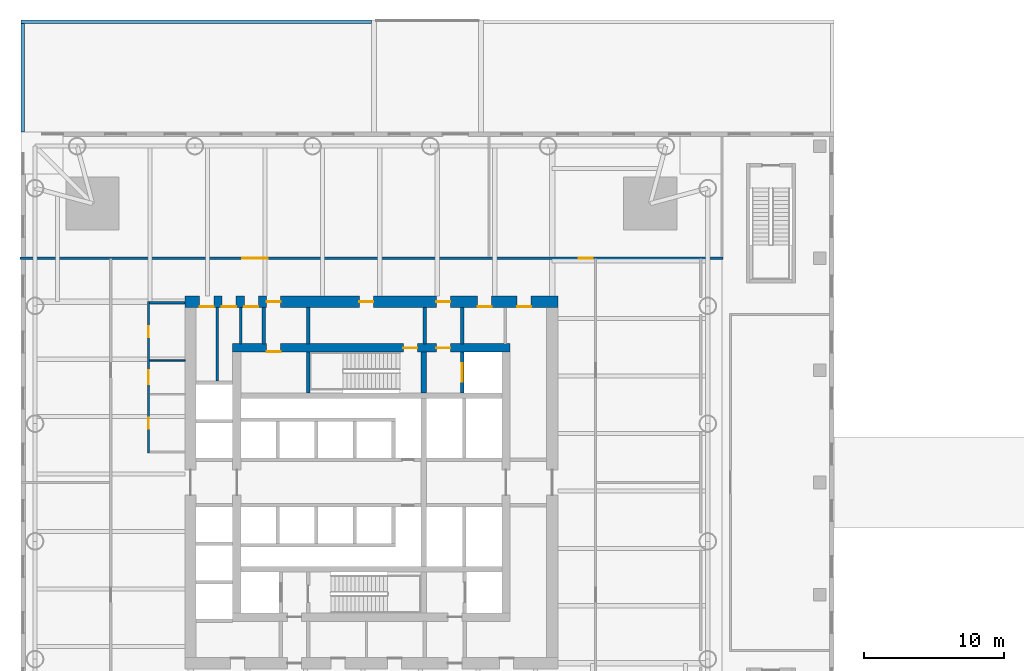
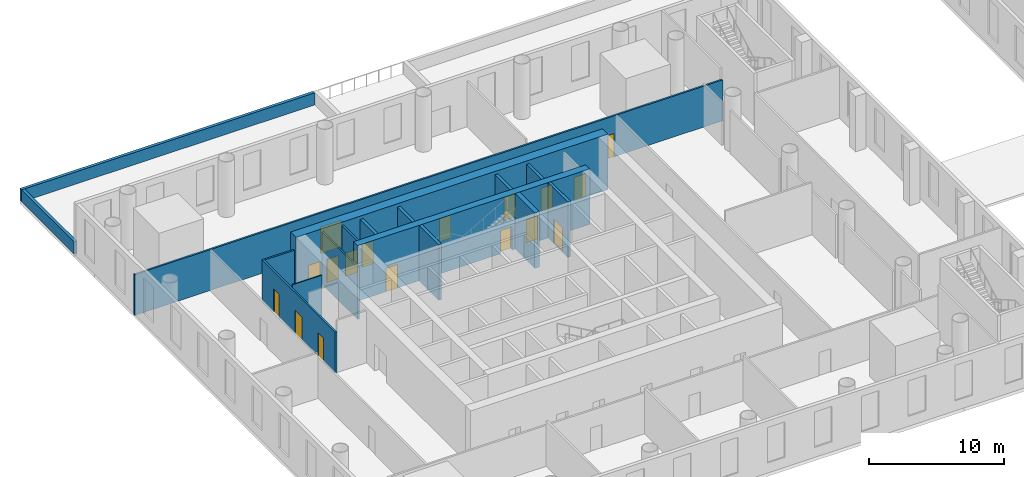
# One storey, part 8 of 16: 17 doors, 17 walls, 17 openings.
"""IFC4 building model written with IfcOpenShell, lengths in metres."""

from ifc_helpers import new_model, si_unit, direction, frame, frame_2d, origin, place, context, subcontext, project, spatial, rectangle, extrude, material, layer, layer_set, type_object, element, fill, save


model = new_model("IFC4")

# Units and contexts
model_context = context("Model", 3, precision=1e-05, world=origin(), true_north=direction((0.0, 1.0)))
body_context = subcontext(model_context, "Body", "Model", "MODEL_VIEW")
ifc_project = project(units=[si_unit("LENGTHUNIT", "METRE"), si_unit("AREAUNIT", "SQUARE_METRE"), si_unit("VOLUMEUNIT", "CUBIC_METRE"), si_unit("PLANEANGLEUNIT", "RADIAN"), si_unit("MASSUNIT", "GRAM", prefix="KILO")], contexts=[model_context])

# Site, building, storey
site_placement = place(None, origin())
site = spatial("IfcSite", under=ifc_project, at=site_placement, CompositionType="ELEMENT")
building_placement = place(site_placement, origin())
building = spatial("IfcBuilding", under=site, at=building_placement, Name="Ostroluk Exchange", CompositionType="ELEMENT")
storey_placement = place(building_placement, frame((0.0, 0.0, 16.0)))
storey = spatial("IfcBuildingStorey", under=building, at=storey_placement, Name="L03", CompositionType="ELEMENT", Elevation=16.0)

# Walls
ifc_material_1 = material(Name="Concrete blockwork", Category="masonry")
ifc_layer_1 = layer(ifc_material_1, 0.10009765625)
ifc_layer_set_1 = layer_set([ifc_layer_1], Name="Blockwork WC wall 100")
wall_type_1 = type_object("IfcWallType", Name="Blockwork WC wall 100", PredefinedType="SOLIDWALL", material=ifc_layer_set_1)
wall_1_placement = place(storey_placement, frame((29.175048828125, 54.699951171875, 0.0), z_axis=(0.0, 0.0, 1.0), x_axis=(1.0, 0.0, 0.0)))
element("IfcWall", 1, at=wall_1_placement, inside=storey, type_object=wall_type_1, Name="Blockwork WC wall", PredefinedType="SOLIDWALL", context=body_context, shape_type="SweptSolid", body=[
    extrude(rectangle(XDim=2.52490234375, YDim=0.10009765625, at=frame_2d((1.262451171875, 0.0))), origin(), (0.0, 0.0, 1.0), 3.929931640625),
])
ifc_material_2 = material(Name="Concrete blockwork", Category="masonry")
ifc_layer_2 = layer(ifc_material_2, 0.14990234375)
ifc_layer_set_2 = layer_set([ifc_layer_2], Name="Blockwork plant room wall 150")
wall_type_2 = type_object("IfcWallType", Name="Blockwork plant room wall 150", PredefinedType="SOLIDWALL", material=ifc_layer_set_2)
wall_2_placement = place(storey_placement, frame((33.99609375, 53.25, 0.0), z_axis=(0.0, 0.0, 1.0), x_axis=(0.0, 1.0, 0.0)))
element("IfcWall", 2, at=wall_2_placement, inside=storey, type_object=wall_type_2, Name="Core room wall", PredefinedType="SOLIDWALL", context=body_context, shape_type="SweptSolid", body=[
    extrude(rectangle(XDim=5.25, YDim=0.14990234375, at=frame_2d((2.625, 0.0))), origin(), (0.0, 0.0, 1.0), 4.699951171875),
])
wall_3_placement = place(storey_placement, frame((35.678955078125, 55.89990234375, 0.0), z_axis=(0.0, 0.0, 1.0), x_axis=(0.0, 1.0, 0.0)))
element("IfcWall", 3, at=wall_3_placement, inside=storey, type_object=wall_type_2, Name="Core room wall", PredefinedType="SOLIDWALL", context=body_context, shape_type="SweptSolid", body=[
    extrude(rectangle(XDim=2.60009765625, YDim=0.14990234375, at=frame_2d((1.300048828125, 0.0))), origin(), (0.0, 0.0, 1.0), 4.699951171875),
])
ifc_material_3 = material(Name="Concrete blockwork", Category="masonry")
ifc_layer_3 = layer(ifc_material_3, 0.25)
ifc_layer_set_3 = layer_set([ifc_layer_3], Name="Blockwork stair enclosure wall 250")
wall_type_3 = type_object("IfcWallType", Name="Blockwork stair enclosure wall 250", PredefinedType="SOLIDWALL", material=ifc_layer_set_3)
for number, where, z_axis, x_axis, name in (
    (4, (48.804931640625, 55.89990234375, 0.0), (0.0, 0.0, 1.0), (0.0, 1.0, 0.0), "Fire lobby enclosure wall"),
    (5, (51.47509765625, 55.89990234375, 0.0), (0.0, 0.0, 1.0), (0.0, 1.0, 0.0), "Fire lobby enclosure wall"),
    (6, (40.47509765625, 55.89990234375, 0.0), (0.0, 0.0, 1.0), (0.0, 1.0, 0.0), "Stair lobby enclosure wall"),
    (7, (37.300048828125, 55.89990234375, 0.0), (0.0, 0.0, 1.0), (0.0, 1.0, 0.0), "Core corridor wall"),
):
    element("IfcWall", number, at=place(storey_placement, frame(where, z_axis=z_axis, x_axis=x_axis)), inside=storey, type_object=wall_type_3, Name=name, PredefinedType="SOLIDWALL", context=body_context, shape_type="SweptSolid", body=[
        extrude(rectangle(XDim=2.60009765625, YDim=0.25, at=frame_2d((1.300048828125, 0.0))), origin(), (0.0, 0.0, 1.0), 4.699951171875),
    ])
ifc_material_4 = material(Name="Concrete C50/60", Category="concrete")
ifc_layer_4 = layer(ifc_material_4, 0.39990234375)
ifc_layer_set_4 = layer_set([ifc_layer_4], Name="Core cross wall 400 C50/60")
wall_type_4 = type_object("IfcWallType", Name="Core cross wall 400 C50/60", PredefinedType="SHEAR", material=ifc_layer_set_4)
wall_4_placement = place(storey_placement, frame((48.72998046875, 52.39990234375, 0.0), z_axis=(0.0, 0.0, 1.0), x_axis=(0.0, 1.0, 0.0)))
element("IfcWall", 8, at=wall_4_placement, inside=storey, type_object=wall_type_4, Name="T1 core wall YE3", PredefinedType="SHEAR", context=body_context, shape_type="SweptSolid", body=[
    extrude(rectangle(XDim=2.900146484375, YDim=0.39990234375, at=frame_2d((1.4501953125, 0.0))), origin(), (0.0, 0.0, 1.0), 5.0),
])
ifc_material_5 = material(Name="Concrete C40/50", Category="concrete")
ifc_layer_5 = layer(ifc_material_5, 0.25)
ifc_layer_set_5 = layer_set([ifc_layer_5], Name="Core shaft wall 250")
wall_type_5 = type_object("IfcWallType", Name="Core shaft wall 250", PredefinedType="SHEAR", material=ifc_layer_set_5)
wall_5_placement = place(storey_placement, frame((40.47509765625, 52.39990234375, 0.0), z_axis=(0.0, 0.0, 1.0), x_axis=(0.0, 1.0, 0.0)))
element("IfcWall", 9, at=wall_5_placement, inside=storey, type_object=wall_type_5, Name="Stair shaft wall", PredefinedType="SHEAR", context=body_context, shape_type="SweptSolid", body=[
    extrude(rectangle(XDim=2.900146484375, YDim=0.25, at=frame_2d((1.4501953125, 0.0))), origin(), (0.0, 0.0, 1.0), 5.0),
])

# Wall, opening, door
wall_6_placement = place(storey_placement, frame((51.47509765625, 52.39990234375, 0.0), z_axis=(0.0, 0.0, 1.0), x_axis=(0.0, 1.0, 0.0)))
wall_6 = element("IfcWall", 10, at=wall_6_placement, inside=storey, type_object=wall_type_5, Name="Firefighting lift shaft wall", PredefinedType="SHEAR", context=body_context, shape_type="SweptSolid", body=[
    extrude(rectangle(XDim=2.900146484375, YDim=0.25, at=frame_2d((1.4501953125, 0.0))), origin(), (0.0, 0.0, 1.0), 5.0),
])
opening_1_placement = place(wall_6_placement, frame((0.800048828125, 0.0, 0.0)))
opening_1 = element("IfcOpeningElement", 11, at=opening_1_placement, cuts=wall_6, Name="Opening LD2", PredefinedType="OPENING", context=body_context, shape_type="SweptSolid", body=[
    extrude(rectangle(XDim=1.300048828125, YDim=2.199951171875, at=frame_2d((0.64990234375, 1.10009765625))), frame((0.0, 0.135009765625, 0.0), z_axis=(0.0, -1.0, 0.0), x_axis=(1.0, 0.0, 0.0)), (0.0, 0.0, 1.0), 0.27001953125),
])
ifc_material_6 = material(Name="Stainless steel", Category="steel")
door_type_1 = type_object("IfcDoorType", Name="Lift landing door E 60 1300 x 2200", OperationType="DOUBLE_DOOR_SLIDING", PredefinedType="DOOR", material=ifc_material_6)
door_1_placement = place(opening_1_placement, origin())
door_1 = element("IfcDoor", 12, at=door_1_placement, inside=storey, type_object=door_type_1, Name="Lift FL2 landing door", OperationType="DOUBLE_DOOR_SLIDING", OverallHeight=2.199951171875, OverallWidth=1.300048828125, PredefinedType="DOOR", context=body_context, shape_type="SweptSolid", body=[
    extrude(rectangle(XDim=1.300048828125, YDim=2.199951171875, at=frame_2d((0.64990234375, 1.10009765625))), frame((0.0, 0.02490234375, 0.0), z_axis=(0.0, -1.0, 0.0), x_axis=(1.0, 0.0, 0.0)), (0.0, 0.0, 1.0), 0.050048828125),
])
fill(opening_1, door_1)

# Wall, openings, doors
ifc_material_7 = material(Name="Concrete C50/60", Category="concrete")
ifc_layer_6 = layer(ifc_material_7, 0.60009765625)
ifc_layer_set_6 = layer_set([ifc_layer_6], Name="Core wall 600 C50/60")
wall_type_6 = type_object("IfcWallType", Name="Core wall 600 C50/60", PredefinedType="SHEAR", material=ifc_layer_set_6)
wall_7_placement = place(storey_placement, frame((35.10009765625, 55.60009765625, 0.0), z_axis=(0.0, 0.0, 1.0), x_axis=(1.0, 0.0, 0.0)))
wall_7 = element("IfcWall", 13, at=wall_7_placement, inside=storey, type_object=wall_type_6, Name="T1 core wall N", PredefinedType="SHEAR", context=body_context, shape_type="SweptSolid", body=[
    extrude(rectangle(XDim=19.7998046875, YDim=0.60009765625, at=frame_2d((9.89990234375, 0.0))), origin(), (0.0, 0.0, 1.0), 5.0),
])
opening_2_placement = place(wall_7_placement, frame((14.5400390625, 0.0, 0.0)))
opening_2 = element("IfcOpeningElement", 14, at=opening_2_placement, cuts=wall_7, Name="Opening FD60", PredefinedType="OPENING", context=body_context, shape_type="SweptSolid", body=[
    extrude(rectangle(XDim=1.0, YDim=2.10009765625, at=frame_2d((0.5, 1.050048828125))), frame((0.0, 0.31005859375, 0.0), z_axis=(0.0, -1.0, 0.0), x_axis=(1.0, 0.0, 0.0)), (0.0, 0.0, 1.0), 0.6201171875),
])
opening_3_placement = place(wall_7_placement, frame((12.179931640625, 0.0, 0.0)))
opening_3 = element("IfcOpeningElement", 15, at=opening_3_placement, cuts=wall_7, Name="Opening FD60", PredefinedType="OPENING", context=body_context, shape_type="SweptSolid", body=[
    extrude(rectangle(XDim=1.0, YDim=2.10009765625, at=frame_2d((0.5, 1.050048828125))), frame((0.0, 0.31005859375, 0.0), z_axis=(0.0, -1.0, 0.0), x_axis=(1.0, 0.0, 0.0)), (0.0, 0.0, 1.0), 0.6201171875),
])
opening_4_placement = place(wall_7_placement, frame((2.425048828125, 0.0, 0.0)))
opening_4 = element("IfcOpeningElement", 16, at=opening_4_placement, cuts=wall_7, Name="Opening FD60", PredefinedType="OPENING", context=body_context, shape_type="SweptSolid", body=[
    extrude(rectangle(XDim=1.0, YDim=2.10009765625, at=frame_2d((0.5, 1.050048828125))), frame((0.0, 0.31005859375, 0.0), z_axis=(0.0, -1.0, 0.0), x_axis=(1.0, 0.0, 0.0)), (0.0, 0.0, 1.0), 0.6201171875),
])
ifc_material_8 = material(Name="Steel", Category="steel")
door_type_2 = type_object("IfcDoorType", Name="Fire door EI 60 1000 x 2100", OperationType="SINGLE_SWING_LEFT", PredefinedType="DOOR", material=ifc_material_8)
door_2_placement = place(opening_2_placement, origin())
door_2 = element("IfcDoor", 17, at=door_2_placement, inside=storey, type_object=door_type_2, Name="Firefighting lobby door", OperationType="SINGLE_SWING_RIGHT", OverallHeight=2.10009765625, OverallWidth=1.0, PredefinedType="DOOR", context=body_context, shape_type="SweptSolid", body=[
    extrude(rectangle(XDim=1.0, YDim=2.10009765625, at=frame_2d((0.5, 1.050048828125))), frame((0.0, 0.02490234375, 0.0), z_axis=(0.0, -1.0, 0.0), x_axis=(1.0, 0.0, 0.0)), (0.0, 0.0, 1.0), 0.050048828125),
])
fill(opening_2, door_2)
door_3_placement = place(opening_3_placement, origin())
door_3 = element("IfcDoor", 18, at=door_3_placement, inside=storey, type_object=door_type_2, Name="Stair T1-S2 door", OperationType="SINGLE_SWING_RIGHT", OverallHeight=2.10009765625, OverallWidth=1.0, PredefinedType="DOOR", context=body_context, shape_type="SweptSolid", body=[
    extrude(rectangle(XDim=1.0, YDim=2.10009765625, at=frame_2d((0.5, 1.050048828125))), frame((0.0, 0.02490234375, 0.0), z_axis=(0.0, -1.0, 0.0), x_axis=(1.0, 0.0, 0.0)), (0.0, 0.0, 1.0), 0.050048828125),
])
fill(opening_3, door_3)
door_4_placement = place(opening_4_placement, origin())
door_4 = element("IfcDoor", 19, at=door_4_placement, inside=storey, type_object=door_type_2, Name="Store door", OperationType="SINGLE_SWING_LEFT", OverallHeight=2.10009765625, OverallWidth=1.0, PredefinedType="DOOR", context=body_context, shape_type="SweptSolid", body=[
    extrude(rectangle(XDim=1.0, YDim=2.10009765625, at=frame_2d((0.5, 1.050048828125))), frame((0.0, -0.23974609375, 0.0), z_axis=(0.0, -1.0, 0.0), x_axis=(1.0, 0.0, 0.0)), (0.0, 0.0, 1.0), 0.050048828125),
])
fill(opening_4, door_4)

ifc_material_9 = material(Name="Concrete C50/60", Category="concrete")
ifc_layer_7 = layer(ifc_material_9, 0.800048828125)
ifc_layer_set_7 = layer_set([ifc_layer_7], Name="Core wall 800 C50/60")
wall_type_7 = type_object("IfcWallType", Name="Core wall 800 C50/60", PredefinedType="SHEAR", material=ifc_layer_set_7)
wall_8_placement = place(storey_placement, frame((31.699951171875, 58.89990234375, 0.0), z_axis=(0.0, 0.0, 1.0), x_axis=(1.0, 0.0, 0.0)))
wall_8 = element("IfcWall", 20, at=wall_8_placement, inside=storey, type_object=wall_type_7, Name="T1 core wall RN", PredefinedType="SHEAR", context=body_context, shape_type="SweptSolid", body=[
    extrude(rectangle(XDim=26.60009765625, YDim=0.800048828125, at=frame_2d((13.300048828125, 0.0))), origin(), (0.0, 0.0, 1.0), 5.0),
])
opening_5_placement = place(wall_8_placement, frame((17.93994140625, 0.0, 0.0)))
opening_5 = element("IfcOpeningElement", 21, at=opening_5_placement, cuts=wall_8, Name="Opening FD60", PredefinedType="OPENING", context=body_context, shape_type="SweptSolid", body=[
    extrude(rectangle(XDim=1.0, YDim=2.10009765625, at=frame_2d((0.5, 1.050048828125))), frame((0.0, 0.409912109375, 0.0), z_axis=(0.0, -1.0, 0.0), x_axis=(1.0, 0.0, 0.0)), (0.0, 0.0, 1.0), 0.820068359375),
])
opening_6_placement = place(wall_8_placement, frame((12.43994140625, 0.0, 0.0)))
opening_6 = element("IfcOpeningElement", 22, at=opening_6_placement, cuts=wall_8, Name="Opening FD60", PredefinedType="OPENING", context=body_context, shape_type="SweptSolid", body=[
    extrude(rectangle(XDim=1.0, YDim=2.10009765625, at=frame_2d((0.5, 1.050048828125))), frame((0.0, 0.409912109375, 0.0), z_axis=(0.0, -1.0, 0.0), x_axis=(1.0, 0.0, 0.0)), (0.0, 0.0, 1.0), 0.820068359375),
])
opening_7_placement = place(wall_8_placement, frame((5.824951171875, 0.0, 0.0)))
opening_7 = element("IfcOpeningElement", 23, at=opening_7_placement, cuts=wall_8, Name="Opening FD60", PredefinedType="OPENING", context=body_context, shape_type="SweptSolid", body=[
    extrude(rectangle(XDim=1.0, YDim=2.10009765625, at=frame_2d((0.5, 1.050048828125))), frame((0.0, 0.409912109375, 0.0), z_axis=(0.0, -1.0, 0.0), x_axis=(1.0, 0.0, 0.0)), (0.0, 0.0, 1.0), 0.820068359375),
])
opening_8_placement = place(wall_8_placement, frame((1.050048828125, 0.0, 0.0)))
opening_8 = element("IfcOpeningElement", 24, at=opening_8_placement, cuts=wall_8, Name="Opening FD60", PredefinedType="OPENING", context=body_context, shape_type="SweptSolid", body=[
    extrude(rectangle(XDim=1.0, YDim=2.10009765625, at=frame_2d((0.5, 1.050048828125))), frame((0.0, 0.409912109375, 0.0), z_axis=(0.0, -1.0, 0.0), x_axis=(1.0, 0.0, 0.0)), (0.0, 0.0, 1.0), 0.820068359375),
])
opening_9_placement = place(wall_8_placement, frame((2.637451171875, 0.0, 0.0)))
opening_9 = element("IfcOpeningElement", 25, at=opening_9_placement, cuts=wall_8, Name="Opening FD60", PredefinedType="OPENING", context=body_context, shape_type="SweptSolid", body=[
    extrude(rectangle(XDim=1.0, YDim=2.10009765625, at=frame_2d((0.5, 1.050048828125))), frame((0.0, 0.409912109375, 0.0), z_axis=(0.0, -1.0, 0.0), x_axis=(1.0, 0.0, 0.0)), (0.0, 0.0, 1.0), 0.820068359375),
])
opening_10_placement = place(wall_8_placement, frame((4.22900390625, 0.0, 0.0)))
opening_10 = element("IfcOpeningElement", 26, at=opening_10_placement, cuts=wall_8, Name="Opening FD60", PredefinedType="OPENING", context=body_context, shape_type="SweptSolid", body=[
    extrude(rectangle(XDim=1.0, YDim=2.10009765625, at=frame_2d((0.5, 1.050048828125))), frame((0.0, 0.409912109375, 0.0), z_axis=(0.0, -1.0, 0.0), x_axis=(1.0, 0.0, 0.0)), (0.0, 0.0, 1.0), 0.820068359375),
])
opening_11_placement = place(wall_8_placement, frame((20.875, 0.0, 0.0)))
opening_11 = element("IfcOpeningElement", 27, at=opening_11_placement, cuts=wall_8, Name="Opening FD60", PredefinedType="OPENING", context=body_context, shape_type="SweptSolid", body=[
    extrude(rectangle(XDim=1.0, YDim=2.10009765625, at=frame_2d((0.5, 1.050048828125))), frame((0.0, 0.409912109375, 0.0), z_axis=(0.0, -1.0, 0.0), x_axis=(1.0, 0.0, 0.0)), (0.0, 0.0, 1.0), 0.820068359375),
])
opening_12_placement = place(wall_8_placement, frame((23.699951171875, 0.0, 0.0)))
opening_12 = element("IfcOpeningElement", 28, at=opening_12_placement, cuts=wall_8, Name="Opening FD60", PredefinedType="OPENING", context=body_context, shape_type="SweptSolid", body=[
    extrude(rectangle(XDim=1.0, YDim=2.10009765625, at=frame_2d((0.5, 1.050048828125))), frame((0.0, 0.409912109375, 0.0), z_axis=(0.0, -1.0, 0.0), x_axis=(1.0, 0.0, 0.0)), (0.0, 0.0, 1.0), 0.820068359375),
])
door_5_placement = place(opening_5_placement, origin())
door_5 = element("IfcDoor", 29, at=door_5_placement, inside=storey, type_object=door_type_2, Name="Firefighting lobby door", OperationType="SINGLE_SWING_RIGHT", OverallHeight=2.10009765625, OverallWidth=1.0, PredefinedType="DOOR", context=body_context, shape_type="SweptSolid", body=[
    extrude(rectangle(XDim=1.0, YDim=2.10009765625, at=frame_2d((0.5, 1.050048828125))), frame((0.0, 0.02490234375, 0.0), z_axis=(0.0, -1.0, 0.0), x_axis=(1.0, 0.0, 0.0)), (0.0, 0.0, 1.0), 0.050048828125),
])
fill(opening_5, door_5)
door_6_placement = place(opening_6_placement, origin())
door_6 = element("IfcDoor", 30, at=door_6_placement, inside=storey, type_object=door_type_2, Name="Stair lobby door", OperationType="SINGLE_SWING_LEFT", OverallHeight=2.10009765625, OverallWidth=1.0, PredefinedType="DOOR", context=body_context, shape_type="SweptSolid", body=[
    extrude(rectangle(XDim=1.0, YDim=2.10009765625, at=frame_2d((0.5, 1.050048828125))), frame((0.0, 0.02490234375, 0.0), z_axis=(0.0, -1.0, 0.0), x_axis=(1.0, 0.0, 0.0)), (0.0, 0.0, 1.0), 0.050048828125),
])
fill(opening_6, door_6)
door_7_placement = place(opening_7_placement, origin())
door_7 = element("IfcDoor", 31, at=door_7_placement, inside=storey, type_object=door_type_2, Name="Core corridor door", OperationType="SINGLE_SWING_LEFT", OverallHeight=2.10009765625, OverallWidth=1.0, PredefinedType="DOOR", context=body_context, shape_type="SweptSolid", body=[
    extrude(rectangle(XDim=1.0, YDim=2.10009765625, at=frame_2d((0.5, 1.050048828125))), frame((0.0, 0.02490234375, 0.0), z_axis=(0.0, -1.0, 0.0), x_axis=(1.0, 0.0, 0.0)), (0.0, 0.0, 1.0), 0.050048828125),
])
fill(opening_7, door_7)
door_8_placement = place(opening_8_placement, origin())
door_8 = element("IfcDoor", 32, at=door_8_placement, inside=storey, type_object=door_type_2, Name="Security equipment store door", OperationType="SINGLE_SWING_LEFT", OverallHeight=2.10009765625, OverallWidth=1.0, PredefinedType="DOOR", context=body_context, shape_type="SweptSolid", body=[
    extrude(rectangle(XDim=1.0, YDim=2.10009765625, at=frame_2d((0.5, 1.050048828125))), frame((0.0, -0.33984375, 0.0), z_axis=(0.0, -1.0, 0.0), x_axis=(1.0, 0.0, 0.0)), (0.0, 0.0, 1.0), 0.050048828125),
])
fill(opening_8, door_8)
door_9_placement = place(opening_9_placement, origin())
door_9 = element("IfcDoor", 33, at=door_9_placement, inside=storey, type_object=door_type_2, Name="Comms switch room door", OperationType="SINGLE_SWING_LEFT", OverallHeight=2.10009765625, OverallWidth=1.0, PredefinedType="DOOR", context=body_context, shape_type="SweptSolid", body=[
    extrude(rectangle(XDim=1.0, YDim=2.10009765625, at=frame_2d((0.5, 1.050048828125))), frame((0.0, -0.33984375, 0.0), z_axis=(0.0, -1.0, 0.0), x_axis=(1.0, 0.0, 0.0)), (0.0, 0.0, 1.0), 0.050048828125),
])
fill(opening_9, door_9)
door_10_placement = place(opening_10_placement, origin())
door_10 = element("IfcDoor", 34, at=door_10_placement, inside=storey, type_object=door_type_2, Name="Electrical switch room door", OperationType="SINGLE_SWING_LEFT", OverallHeight=2.10009765625, OverallWidth=1.0, PredefinedType="DOOR", context=body_context, shape_type="SweptSolid", body=[
    extrude(rectangle(XDim=1.0, YDim=2.10009765625, at=frame_2d((0.5, 1.050048828125))), frame((0.0, -0.33984375, 0.0), z_axis=(0.0, -1.0, 0.0), x_axis=(1.0, 0.0, 0.0)), (0.0, 0.0, 1.0), 0.050048828125),
])
fill(opening_10, door_10)
door_11_placement = place(opening_11_placement, origin())
door_11 = element("IfcDoor", 35, at=door_11_placement, inside=storey, type_object=door_type_2, Name="Store door", OperationType="SINGLE_SWING_RIGHT", OverallHeight=2.10009765625, OverallWidth=1.0, PredefinedType="DOOR", context=body_context, shape_type="SweptSolid", body=[
    extrude(rectangle(XDim=1.0, YDim=2.10009765625, at=frame_2d((0.5, 1.050048828125))), frame((0.0, -0.33984375, 0.0), z_axis=(0.0, -1.0, 0.0), x_axis=(1.0, 0.0, 0.0)), (0.0, 0.0, 1.0), 0.050048828125),
])
fill(opening_11, door_11)
door_12_placement = place(opening_12_placement, origin())
door_12 = element("IfcDoor", 36, at=door_12_placement, inside=storey, type_object=door_type_2, Name="Cleaner's store door", OperationType="SINGLE_SWING_RIGHT", OverallHeight=2.10009765625, OverallWidth=1.0, PredefinedType="DOOR", context=body_context, shape_type="SweptSolid", body=[
    extrude(rectangle(XDim=1.0, YDim=2.10009765625, at=frame_2d((0.5, 1.050048828125))), frame((0.0, -0.33984375, 0.0), z_axis=(0.0, -1.0, 0.0), x_axis=(1.0, 0.0, 0.0)), (0.0, 0.0, 1.0), 0.050048828125),
])
fill(opening_12, door_12)

# Walls
ifc_material_10 = material(Name="Limestone", Category="masonry")
ifc_layer_8 = layer(ifc_material_10, 0.25)
ifc_layer_set_8 = layer_set([ifc_layer_8], Name="Green roof parapet 250")
wall_type_8 = type_object("IfcWallType", Name="Green roof parapet 250", PredefinedType="PARAPET", material=ifc_layer_set_8)
wall_9_placement = place(storey_placement, frame((20.125, 71.010009765625, 0.0), z_axis=(0.0, 0.0, 1.0), x_axis=(0.0, 1.0, 0.0)))
element("IfcWall", 37, at=wall_9_placement, inside=storey, type_object=wall_type_8, Name="Green roof parapet L03 1", PredefinedType="PARAPET", context=body_context, shape_type="SweptSolid", body=[
    extrude(rectangle(XDim=7.739990234375, YDim=0.25, at=frame_2d((3.8701171875, 0.0))), origin(), (0.0, 0.0, 1.0), 1.10009765625),
])
wall_10_placement = place(storey_placement, frame((20.0, 78.875, 0.0), z_axis=(0.0, 0.0, 1.0), x_axis=(1.0, 0.0, 0.0)))
element("IfcWall", 38, at=wall_10_placement, inside=storey, type_object=wall_type_8, Name="Green roof parapet L03 2", PredefinedType="PARAPET", context=body_context, shape_type="SweptSolid", body=[
    extrude(rectangle(XDim=24.989990234375, YDim=0.25, at=frame_2d((12.4951171875, 0.0))), origin(), (0.0, 0.0, 1.0), 1.10009765625),
])

# Wall, openings, doors
ifc_material_11 = material(Name="Gypsum plasterboard partition", Category="gypsum")
ifc_layer_9 = layer(ifc_material_11, 0.14990234375)
ifc_layer_set_9 = layer_set([ifc_layer_9], Name="Plasterboard partition 150")
wall_type_9 = type_object("IfcWallType", Name="Plasterboard partition 150", PredefinedType="PARTITIONING", material=ifc_layer_set_9)
wall_11_placement = place(storey_placement, frame((19.925048828125, 62.0, 0.0), z_axis=(0.0, 0.0, 1.0), x_axis=(1.0, 0.0, 0.0)))
wall_11 = element("IfcWall", 39, at=wall_11_placement, inside=storey, type_object=wall_type_9, Name="Partition", PredefinedType="PARTITIONING", context=body_context, shape_type="SweptSolid", body=[
    extrude(rectangle(XDim=50.14990234375, YDim=0.14990234375, at=frame_2d((25.074951171875, 0.0))), origin(), (0.0, 0.0, 1.0), 3.68798828125),
])
opening_13_placement = place(wall_11_placement, frame((15.875, 0.0, 0.0)))
opening_13 = element("IfcOpeningElement", 40, at=opening_13_placement, cuts=wall_11, Name="Opening D-04", PredefinedType="OPENING", context=body_context, shape_type="SweptSolid", body=[
    extrude(rectangle(XDim=1.800048828125, YDim=2.39990234375, at=frame_2d((0.89990234375, 1.199951171875))), frame((0.0, 0.0849609375, 0.0), z_axis=(0.0, -1.0, 0.0), x_axis=(1.0, 0.0, 0.0)), (0.0, 0.0, 1.0), 0.169921875),
])
opening_14_placement = place(wall_11_placement, frame((39.875, 0.0, 0.0)))
opening_14 = element("IfcOpeningElement", 41, at=opening_14_placement, cuts=wall_11, Name="Opening D-03", PredefinedType="OPENING", context=body_context, shape_type="SweptSolid", body=[
    extrude(rectangle(XDim=1.0, YDim=2.10009765625, at=frame_2d((0.5, 1.050048828125))), frame((0.0, 0.0849609375, 0.0), z_axis=(0.0, -1.0, 0.0), x_axis=(1.0, 0.0, 0.0)), (0.0, 0.0, 1.0), 0.169921875),
])
ifc_material_12 = material(Name="Timber", Category="wood")
door_type_3 = type_object("IfcDoorType", Name="Double door 1800 x 2400", OperationType="DOUBLE_DOOR_SINGLE_SWING", PredefinedType="DOOR", material=ifc_material_12)
door_13_placement = place(opening_13_placement, origin())
door_13 = element("IfcDoor", 42, at=door_13_placement, inside=storey, type_object=door_type_3, Name="Restaurant door", OperationType="DOUBLE_DOOR_SINGLE_SWING", OverallHeight=2.39990234375, OverallWidth=1.800048828125, PredefinedType="DOOR", context=body_context, shape_type="SweptSolid", body=[
    extrude(rectangle(XDim=1.800048828125, YDim=2.39990234375, at=frame_2d((0.89990234375, 1.199951171875))), frame((0.0, 0.02490234375, 0.0), z_axis=(0.0, -1.0, 0.0), x_axis=(1.0, 0.0, 0.0)), (0.0, 0.0, 1.0), 0.050048828125),
])
fill(opening_13, door_13)
ifc_material_13 = material(Name="Timber", Category="wood")
door_type_4 = type_object("IfcDoorType", Name="Internal door 1000 x 2100", OperationType="SINGLE_SWING_LEFT", PredefinedType="DOOR", material=ifc_material_13)
door_14_placement = place(opening_14_placement, origin())
door_14 = element("IfcDoor", 43, at=door_14_placement, inside=storey, type_object=door_type_4, Name="Office door", OperationType="SINGLE_SWING_RIGHT", OverallHeight=2.10009765625, OverallWidth=1.0, PredefinedType="DOOR", context=body_context, shape_type="SweptSolid", body=[
    extrude(rectangle(XDim=1.0, YDim=2.10009765625, at=frame_2d((0.5, 1.050048828125))), frame((0.0, 0.02490234375, 0.0), z_axis=(0.0, -1.0, 0.0), x_axis=(1.0, 0.0, 0.0)), (0.0, 0.0, 1.0), 0.050048828125),
])
fill(opening_14, door_14)

ifc_material_14 = material(Name="Gypsum plasterboard partition, moisture resistant", Category="gypsum")
ifc_layer_10 = layer(ifc_material_14, 0.14990234375)
ifc_layer_set_10 = layer_set([ifc_layer_10], Name="Plasterboard toilet partition 150")
wall_type_10 = type_object("IfcWallType", Name="Plasterboard toilet partition 150", PredefinedType="PARTITIONING", material=ifc_layer_set_10)
wall_12_placement = place(storey_placement, frame((29.10009765625, 58.89990234375, 0.0), z_axis=(0.0, 0.0, 1.0), x_axis=(0.0, -1.0, 0.0)))
wall_12 = element("IfcWall", 44, at=wall_12_placement, inside=storey, type_object=wall_type_10, Name="Toilet partition", PredefinedType="PARTITIONING", context=body_context, shape_type="SweptSolid", body=[
    extrude(rectangle(XDim=10.7998046875, YDim=0.14990234375, at=frame_2d((5.39990234375, 0.0))), origin(), (0.0, 0.0, 1.0), 3.68798828125),
])
opening_15_placement = place(wall_12_placement, frame((1.737548828125, 0.0, 0.0)))
opening_15 = element("IfcOpeningElement", 45, at=opening_15_placement, cuts=wall_12, Name="Opening D-06", PredefinedType="OPENING", context=body_context, shape_type="SweptSolid", body=[
    extrude(rectangle(XDim=0.800048828125, YDim=2.10009765625, at=frame_2d((0.39990234375, 1.050048828125))), frame((0.0, 0.0849609375, 0.0), z_axis=(0.0, -1.0, 0.0), x_axis=(1.0, 0.0, 0.0)), (0.0, 0.0, 1.0), 0.169921875),
])
opening_16_placement = place(wall_12_placement, frame((4.89990234375, 0.0, 0.0)))
opening_16 = element("IfcOpeningElement", 46, at=opening_16_placement, cuts=wall_12, Name="Opening D-03", PredefinedType="OPENING", context=body_context, shape_type="SweptSolid", body=[
    extrude(rectangle(XDim=1.0, YDim=2.10009765625, at=frame_2d((0.5, 1.050048828125))), frame((0.0, 0.0849609375, 0.0), z_axis=(0.0, -1.0, 0.0), x_axis=(1.0, 0.0, 0.0)), (0.0, 0.0, 1.0), 0.169921875),
])
opening_17_placement = place(wall_12_placement, frame((8.262451171875, 0.0, 0.0)))
opening_17 = element("IfcOpeningElement", 47, at=opening_17_placement, cuts=wall_12, Name="Opening D-06", PredefinedType="OPENING", context=body_context, shape_type="SweptSolid", body=[
    extrude(rectangle(XDim=0.800048828125, YDim=2.10009765625, at=frame_2d((0.39990234375, 1.050048828125))), frame((0.0, 0.0849609375, 0.0), z_axis=(0.0, -1.0, 0.0), x_axis=(1.0, 0.0, 0.0)), (0.0, 0.0, 1.0), 0.169921875),
])
door_15_placement = place(opening_16_placement, origin())
door_15 = element("IfcDoor", 48, at=door_15_placement, inside=storey, type_object=door_type_4, Name="Accessible WC door", OperationType="SINGLE_SWING_RIGHT", OverallHeight=2.10009765625, OverallWidth=1.0, PredefinedType="DOOR", context=body_context, shape_type="SweptSolid", body=[
    extrude(rectangle(XDim=1.0, YDim=2.10009765625, at=frame_2d((0.5, 1.050048828125))), frame((0.0, 0.02490234375, 0.0), z_axis=(0.0, -1.0, 0.0), x_axis=(1.0, 0.0, 0.0)), (0.0, 0.0, 1.0), 0.050048828125),
])
fill(opening_16, door_15)
ifc_material_15 = material(Name="Timber", Category="wood")
door_type_5 = type_object("IfcDoorType", Name="Toilet door 800 x 2100", OperationType="SINGLE_SWING_LEFT", PredefinedType="DOOR", material=ifc_material_15)
door_16_placement = place(opening_15_placement, origin())
door_16 = element("IfcDoor", 49, at=door_16_placement, inside=storey, type_object=door_type_5, Name="WC female door", OperationType="SINGLE_SWING_LEFT", OverallHeight=2.10009765625, OverallWidth=0.800048828125, PredefinedType="DOOR", context=body_context, shape_type="SweptSolid", body=[
    extrude(rectangle(XDim=0.800048828125, YDim=2.10009765625, at=frame_2d((0.39990234375, 1.050048828125))), frame((0.0, 0.02490234375, 0.0), z_axis=(0.0, -1.0, 0.0), x_axis=(1.0, 0.0, 0.0)), (0.0, 0.0, 1.0), 0.050048828125),
])
fill(opening_15, door_16)
door_17_placement = place(opening_17_placement, origin())
door_17 = element("IfcDoor", 50, at=door_17_placement, inside=storey, type_object=door_type_5, Name="WC male door", OperationType="SINGLE_SWING_RIGHT", OverallHeight=2.10009765625, OverallWidth=0.800048828125, PredefinedType="DOOR", context=body_context, shape_type="SweptSolid", body=[
    extrude(rectangle(XDim=0.800048828125, YDim=2.10009765625, at=frame_2d((0.39990234375, 1.050048828125))), frame((0.0, 0.02490234375, 0.0), z_axis=(0.0, -1.0, 0.0), x_axis=(1.0, 0.0, 0.0)), (0.0, 0.0, 1.0), 0.050048828125),
])
fill(opening_17, door_17)

# Wall
wall_13_placement = place(storey_placement, frame((29.175048828125, 58.824951171875, 0.0), z_axis=(0.0, 0.0, 1.0), x_axis=(1.0, 0.0, 0.0)))
element("IfcWall", 51, at=wall_13_placement, inside=storey, type_object=wall_type_10, Name="Toilet partition", PredefinedType="PARTITIONING", context=body_context, shape_type="SweptSolid", body=[
    extrude(rectangle(XDim=2.52490234375, YDim=0.14990234375, at=frame_2d((1.262451171875, 0.0))), origin(), (0.0, 0.0, 1.0), 3.68798828125),
])

save(model, "model.ifc")
